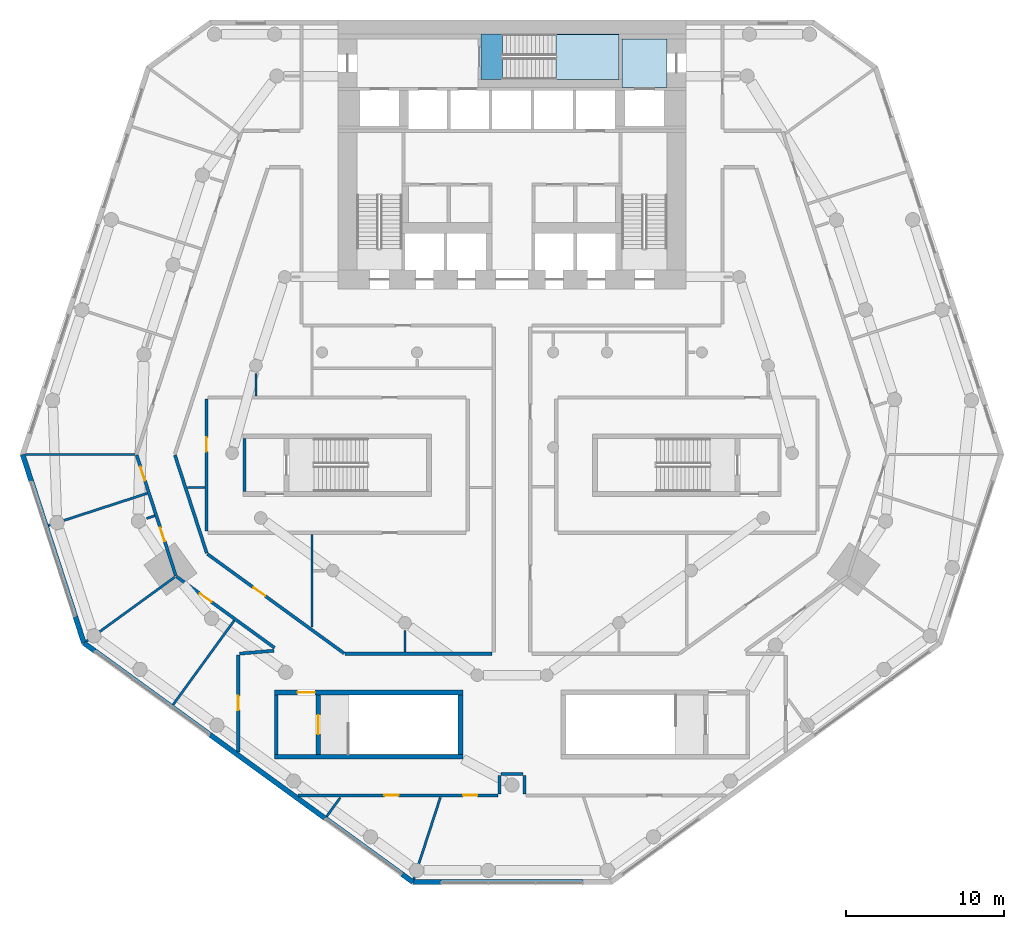
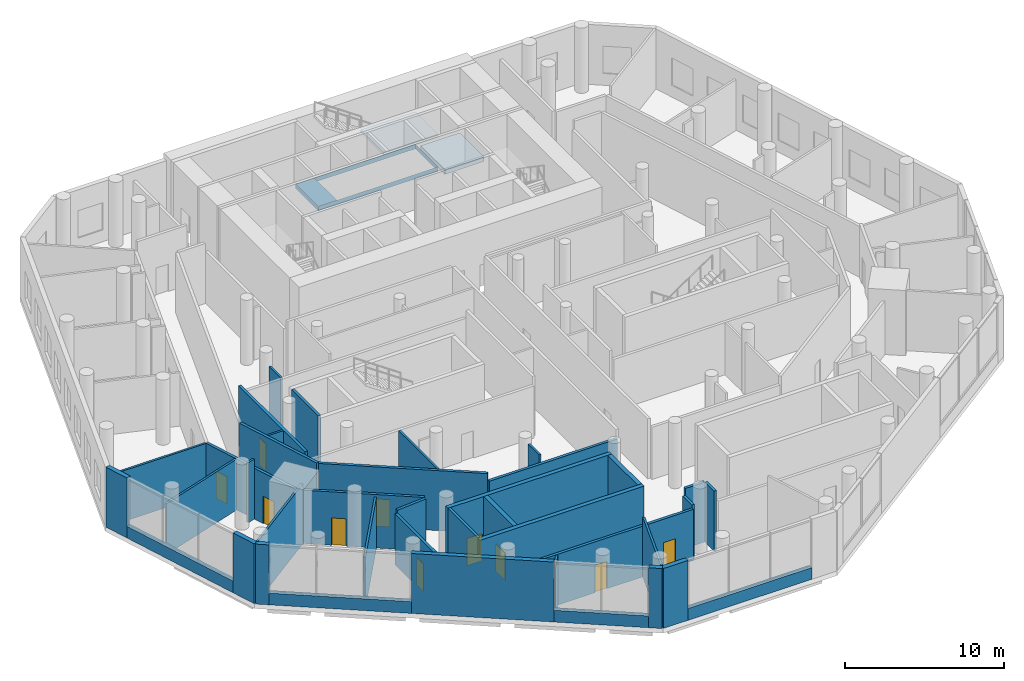
# One storey, part 7 of 15: 39 walls, 10 doors, 3 slabs, 10 openings, 1 element without a shape of its own.
"""IFC4 building model written with IfcOpenShell, lengths in metres."""

from ifc_helpers import new_model, si_unit, direction, frame, frame_2d, origin, place, context, subcontext, project, spatial, polyline, rectangle, outline, extrude, material, layer, layer_set, type_object, element, fill, aggregate, save


model = new_model("IFC4")

# Units and contexts
model_context = context("Model", 3, precision=1e-05, world=origin(), true_north=direction((0.0, 1.0)))
body_context = subcontext(model_context, "Body", "Model", "MODEL_VIEW")
ifc_project = project(units=[si_unit("LENGTHUNIT", "METRE"), si_unit("AREAUNIT", "SQUARE_METRE"), si_unit("VOLUMEUNIT", "CUBIC_METRE"), si_unit("PLANEANGLEUNIT", "RADIAN"), si_unit("MASSUNIT", "GRAM", prefix="KILO")], contexts=[model_context])

# Site, building, storey
site_placement = place(None, origin())
site = spatial("IfcSite", under=ifc_project, at=site_placement, CompositionType="ELEMENT")
building_placement = place(site_placement, origin())
building = spatial("IfcBuilding", under=site, at=building_placement, Name="White Candle Pilgrim Tower", CompositionType="ELEMENT")
storey_placement = place(building_placement, frame((0.0, 0.0, 34.0)))
storey = spatial("IfcBuildingStorey", under=building, at=storey_placement, Name="L05", CompositionType="ELEMENT", Elevation=34.0)

# Slabs
ifc_material_1 = material(Name="Concrete C40/50", Category="concrete")
ifc_layer_1 = layer(ifc_material_1, 0.35009765625)
ifc_layer_set_1 = layer_set([ifc_layer_1], Name="Core floor slab 350 mm Concrete C40/50")
slab_type_1 = type_object("IfcSlabType", Name="Core floor slab 350 mm Concrete C40/50", PredefinedType="FLOOR", material=ifc_layer_set_1)
slab_1_placement = place(storey_placement, frame((0.0, 0.0, -0.35009765625)))
element("IfcSlab", 1, at=slab_1_placement, inside=storey, type_object=slab_type_1, Name="CF-L05-09", PredefinedType="FLOOR", context=body_context, shape_type="SweptSolid", body=[
    extrude(outline(polyline([(76.75, 86.800048828125), (76.75, 84.25), (68.050048828125, 84.25), (68.050048828125, 86.800048828125), (68.050048828125, 87.10009765625), (76.75, 87.10009765625), (76.75, 86.800048828125)]), holes=[polyline([(69.402099609375, 87.097900390625), (69.402099609375, 84.251953125), (76.748046875, 84.251953125), (76.748046875, 87.097900390625), (69.402099609375, 87.097900390625)])]), origin(), (0.0, 0.0, 1.0), 0.35009765625),
])
slab_2_placement = place(storey_placement, frame((0.0, 0.0, -0.35009765625)))
element("IfcSlab", 2, at=slab_2_placement, inside=storey, type_object=slab_type_1, Name="CF-L05-10", PredefinedType="FLOOR", context=body_context, shape_type="SweptSolid", body=[
    extrude(outline(polyline([(79.800048828125, 86.800048828125), (79.800048828125, 83.75), (76.949951171875, 83.75), (76.949951171875, 84.25), (76.949951171875, 86.800048828125), (79.800048828125, 86.800048828125)])), origin(), (0.0, 0.0, 1.0), 0.35009765625),
])

# Stair, slab
stair_type = type_object("IfcStairType", Name="Exit stair 3 flight width 1350 mm", PredefinedType="HALF_TURN_STAIR", material=ifc_material_1)
stair_placement = place(storey_placement, origin())
stair = element("IfcStair", 3, at=stair_placement, inside=storey, type_object=stair_type, Name="L05 stair 3", PredefinedType="NOTDEFINED")
ifc_layer_2 = layer(ifc_material_1, 0.199951171875)
ifc_layer_set_2 = layer_set([ifc_layer_2], Name="Stair landing Concrete C40/50")
slab_type_2 = type_object("IfcSlabType", Name="Stair landing Concrete C40/50", PredefinedType="LANDING", material=ifc_layer_set_2)
slab_3_placement = place(storey_placement, frame((0.0, 0.0, 2.300048828125)))
slab_3 = element("IfcSlab", 4, at=slab_3_placement, type_object=slab_type_2, Name="ST3 landing 1", PredefinedType="LANDING", context=body_context, shape_type="SweptSolid", body=[
    extrude(outline(polyline([(72.778076171875, 84.248046875), (72.778076171875, 87.10205078125), (76.751953125, 87.10205078125), (76.751953125, 84.248046875), (72.778076171875, 84.248046875)])), origin(), (0.0, 0.0, 1.0), 0.199951171875),
])
aggregate(stair, [slab_3])

# Walls
ifc_material_2 = material(Name="Concrete C70/85", Category="concrete")
ifc_layer_3 = layer(ifc_material_2, 0.199951171875)
ifc_layer_set_3 = layer_set([ifc_layer_3], Name="Core wall 200 mm Concrete C70/85")
wall_type_1 = type_object("IfcWallType", Name="Core wall 200 mm Concrete C70/85", PredefinedType="SHEAR", material=ifc_layer_set_3)
wall_1_placement = place(storey_placement, frame((55.10009765625, 41.60009765625, 0.0), z_axis=(0.0, 0.0, 1.0), x_axis=(0.0, 1.0, 0.0)))
element("IfcWall", 5, at=wall_1_placement, inside=storey, type_object=wall_type_1, Name="WL-L05-C03", PredefinedType="SHEAR", context=body_context, shape_type="SweptSolid", body=[
    extrude(rectangle(XDim=3.75, YDim=0.199951171875, at=frame_2d((1.875, 0.0))), origin(), (0.0, 0.0, 1.0), 5.0),
])
wall_2_placement = place(storey_placement, frame((53.10009765625, 58.199951171875, 0.0), z_axis=(0.0, 0.0, 1.0), x_axis=(0.0, 1.0, 0.0)))
element("IfcWall", 6, at=wall_2_placement, inside=storey, type_object=wall_type_1, Name="WL-L05-C13", PredefinedType="SHEAR", context=body_context, shape_type="SweptSolid", body=[
    extrude(rectangle(XDim=3.35009765625, YDim=0.199951171875, at=frame_2d((1.675048828125, 0.0))), origin(), (0.0, 0.0, 1.0), 5.0),
])

# Wall, opening, door
ifc_material_3 = material(Name="Gypsum board on steel studs", Category="steel")
ifc_layer_4 = layer(ifc_material_3, 0.199951171875)
ifc_layer_set_4 = layer_set([ifc_layer_4], Name="Corridor wall 200 mm EI 45")
wall_type_2 = type_object("IfcWallType", Name="Corridor wall 200 mm EI 45", PredefinedType="PARTITIONING", material=ifc_layer_set_4)
wall_3_placement = place(storey_placement, frame((52.699951171875, 41.73681640625, 0.0), z_axis=(0.0, 0.0, 1.0), x_axis=(0.0, 1.0, 0.0)))
wall_3 = element("IfcWall", 7, at=wall_3_placement, inside=storey, type_object=wall_type_2, Name="WL-L05-P001", PredefinedType="PARTITIONING", context=body_context, shape_type="SweptSolid", body=[
    extrude(rectangle(XDim=6.12158203125, YDim=0.199951171875, at=frame_2d((3.060791015625, 0.0))), origin(), (0.0, 0.0, 1.0), 3.89990234375),
])
opening_1_placement = place(wall_3_placement, frame((2.656494140625, 0.0, 0.0)))
opening_1 = element("IfcOpeningElement", 8, at=opening_1_placement, cuts=wall_3, Name="Opening L05-108", PredefinedType="OPENING", context=body_context, shape_type="SweptSolid", body=[
    extrude(rectangle(XDim=0.89990234375, YDim=2.10009765625, at=frame_2d((0.449951171875, 1.050048828125))), frame((0.0, 0.10986328125, 0.0), z_axis=(0.0, -1.0, 0.0), x_axis=(1.0, 0.0, 0.0)), (0.0, 0.0, 1.0), 0.219970703125),
])
ifc_material_4 = material(Name="Steel door leaf", Category="steel")
door_type_1 = type_object("IfcDoorType", Name="Fire door 900 x 2100 EI 30", OperationType="NOTDEFINED", PredefinedType="DOOR", material=ifc_material_4)
door_1_placement = place(opening_1_placement, origin())
door_1 = element("IfcDoor", 9, at=door_1_placement, inside=storey, type_object=door_type_1, Name="Door L05-108", OperationType="SINGLE_SWING_RIGHT", OverallHeight=2.10009765625, OverallWidth=0.89990234375, PredefinedType="DOOR", context=body_context, shape_type="SweptSolid", body=[
    extrude(rectangle(XDim=0.89990234375, YDim=2.10009765625, at=frame_2d((0.449951171875, 1.050048828125))), frame((0.0, 0.02490234375, 0.0), z_axis=(0.0, -1.0, 0.0), x_axis=(1.0, 0.0, 0.0)), (0.0, 0.0, 1.0), 0.050048828125),
])
fill(opening_1, door_1)

# Wall
wall_4_placement = place(storey_placement, frame((52.79150390625, 47.9580078125, 0.0), z_axis=(0.0, 0.0, 1.0), x_axis=(0.996286600035, 0.086098841978, 0.0)))
element("IfcWall", 10, at=wall_4_placement, inside=storey, type_object=wall_type_2, Name="WL-L05-P002", PredefinedType="PARTITIONING", context=body_context, shape_type="SweptSolid", body=[
    extrude(rectangle(XDim=2.16357421875, YDim=0.199951171875, at=frame_2d((1.081787109375, 0.0))), origin(), (0.0, 0.0, 1.0), 4.10009765625),
])

# Wall, opening, door
wall_5_placement = place(storey_placement, frame((54.9970703125, 48.32470703125, 0.0), z_axis=(0.0, 0.0, 1.0), x_axis=(-0.809019601086, 0.587781664446, 0.0)))
wall_5 = element("IfcWall", 11, at=wall_5_placement, inside=storey, type_object=wall_type_2, Name="WL-L05-P003", PredefinedType="PARTITIONING", context=body_context, shape_type="SweptSolid", body=[
    extrude(rectangle(XDim=7.66845703125, YDim=0.199951171875, at=frame_2d((3.834228515625, 0.0))), origin(), (0.0, 0.0, 1.0), 4.10009765625),
])
opening_2_placement = place(wall_5_placement, frame((4.9384765625, 0.0, 0.0)))
opening_2 = element("IfcOpeningElement", 12, at=opening_2_placement, cuts=wall_5, Name="Opening L05-107", PredefinedType="OPENING", context=body_context, shape_type="SweptSolid", body=[
    extrude(rectangle(XDim=0.89990234375, YDim=2.10009765625, at=frame_2d((0.449951171875, 1.050048828125))), frame((0.0, 0.10986328125, 0.0), z_axis=(0.0, -1.0, 0.0), x_axis=(1.0, 0.0, 0.0)), (0.0, 0.0, 1.0), 0.219970703125),
])
door_2_placement = place(opening_2_placement, origin())
door_2 = element("IfcDoor", 13, at=door_2_placement, inside=storey, type_object=door_type_1, Name="Door L05-107", OperationType="SINGLE_SWING_LEFT", OverallHeight=2.10009765625, OverallWidth=0.89990234375, PredefinedType="DOOR", context=body_context, shape_type="SweptSolid", body=[
    extrude(rectangle(XDim=0.89990234375, YDim=2.10009765625, at=frame_2d((0.449951171875, 1.050048828125))), frame((0.0, 0.02490234375, 0.0), z_axis=(0.0, -1.0, 0.0), x_axis=(1.0, 0.0, 0.0)), (0.0, 0.0, 1.0), 0.050048828125),
])
fill(opening_2, door_2)

# Wall, openings, doors
wall_6_placement = place(storey_placement, frame((48.757080078125, 52.882080078125, 0.0), z_axis=(0.0, 0.0, 1.0), x_axis=(-0.309030308026, 0.951052190325, 0.0)))
wall_6 = element("IfcWall", 14, at=wall_6_placement, inside=storey, type_object=wall_type_2, Name="WL-L05-P004", PredefinedType="PARTITIONING", context=body_context, shape_type="SweptSolid", body=[
    extrude(rectangle(XDim=8.018798828125, YDim=0.199951171875, at=frame_2d((4.00927734375, 0.0))), origin(), (0.0, 0.0, 1.0), 3.89990234375),
])
opening_3_placement = place(wall_6_placement, frame((6.330078125, 0.0, 0.0)))
opening_3 = element("IfcOpeningElement", 15, at=opening_3_placement, cuts=wall_6, Name="Opening L05-105", PredefinedType="OPENING", context=body_context, shape_type="SweptSolid", body=[
    extrude(rectangle(XDim=0.89990234375, YDim=2.10009765625, at=frame_2d((0.449951171875, 1.050048828125))), frame((0.0, 0.10986328125, 0.0), z_axis=(0.0, -1.0, 0.0), x_axis=(1.0, 0.0, 0.0)), (0.0, 0.0, 1.0), 0.219970703125),
])
opening_4_placement = place(wall_6_placement, frame((2.288330078125, 0.0, 0.0)))
opening_4 = element("IfcOpeningElement", 16, at=opening_4_placement, cuts=wall_6, Name="Opening L05-106", PredefinedType="OPENING", context=body_context, shape_type="SweptSolid", body=[
    extrude(rectangle(XDim=0.89990234375, YDim=2.10009765625, at=frame_2d((0.449951171875, 1.050048828125))), frame((0.0, 0.10986328125, 0.0), z_axis=(0.0, -1.0, 0.0), x_axis=(1.0, 0.0, 0.0)), (0.0, 0.0, 1.0), 0.219970703125),
])
door_3_placement = place(opening_3_placement, origin())
door_3 = element("IfcDoor", 17, at=door_3_placement, inside=storey, type_object=door_type_1, Name="Door L05-105", OperationType="SINGLE_SWING_LEFT", OverallHeight=2.10009765625, OverallWidth=0.89990234375, PredefinedType="DOOR", context=body_context, shape_type="SweptSolid", body=[
    extrude(rectangle(XDim=0.89990234375, YDim=2.10009765625, at=frame_2d((0.449951171875, 1.050048828125))), frame((0.0, 0.02490234375, 0.0), z_axis=(0.0, -1.0, 0.0), x_axis=(1.0, 0.0, 0.0)), (0.0, 0.0, 1.0), 0.050048828125),
])
fill(opening_3, door_3)
door_4_placement = place(opening_4_placement, origin())
door_4 = element("IfcDoor", 18, at=door_4_placement, inside=storey, type_object=door_type_1, Name="Door L05-106", OperationType="SINGLE_SWING_RIGHT", OverallHeight=2.10009765625, OverallWidth=0.89990234375, PredefinedType="DOOR", context=body_context, shape_type="SweptSolid", body=[
    extrude(rectangle(XDim=0.89990234375, YDim=2.10009765625, at=frame_2d((0.449951171875, 1.050048828125))), frame((0.0, 0.02490234375, 0.0), z_axis=(0.0, -1.0, 0.0), x_axis=(1.0, 0.0, 0.0)), (0.0, 0.0, 1.0), 0.050048828125),
])
fill(opening_4, door_4)

# Walls
wall_7_placement = place(storey_placement, frame((70.800048828125, 39.10009765625, 0.0), z_axis=(0.0, 0.0, 1.0), x_axis=(0.0, 1.0, 0.0)))
element("IfcWall", 19, at=wall_7_placement, inside=storey, type_object=wall_type_2, Name="WL-L05-P016", PredefinedType="PARTITIONING", context=body_context, shape_type="SweptSolid", body=[
    extrude(rectangle(XDim=1.160888671875, YDim=0.199951171875, at=frame_2d((0.58056640625, 0.0))), origin(), (0.0, 0.0, 1.0), 4.60009765625),
])
wall_8_placement = place(storey_placement, frame((70.699951171875, 40.361083984375, 0.0), z_axis=(0.0, 0.0, 1.0), x_axis=(-1.0, 0.0, 0.0)))
element("IfcWall", 20, at=wall_8_placement, inside=storey, type_object=wall_type_2, Name="WL-L05-P017", PredefinedType="PARTITIONING", context=body_context, shape_type="SweptSolid", body=[
    extrude(rectangle(XDim=1.39990234375, YDim=0.199951171875, at=frame_2d((0.699951171875, 0.0))), origin(), (0.0, 0.0, 1.0), 4.60009765625),
])
wall_9_placement = place(storey_placement, frame((69.199951171875, 40.260986328125, 0.0), z_axis=(0.0, 0.0, 1.0), x_axis=(0.0, -1.0, 0.0)))
element("IfcWall", 21, at=wall_9_placement, inside=storey, type_object=wall_type_2, Name="WL-L05-P018", PredefinedType="PARTITIONING", context=body_context, shape_type="SweptSolid", body=[
    extrude(rectangle(XDim=1.160888671875, YDim=0.199951171875, at=frame_2d((0.58056640625, 0.0))), origin(), (0.0, 0.0, 1.0), 4.10009765625),
])

# Wall, openings, doors
wall_10_placement = place(storey_placement, frame((69.10009765625, 39.0, 0.0), z_axis=(0.0, 0.0, 1.0), x_axis=(-1.0, 0.0, 0.0)))
wall_10 = element("IfcWall", 22, at=wall_10_placement, inside=storey, type_object=wall_type_2, Name="WL-L05-P019", PredefinedType="PARTITIONING", context=body_context, shape_type="SweptSolid", body=[
    extrude(rectangle(XDim=12.63330078125, YDim=0.199951171875, at=frame_2d((6.316650390625, 0.0))), origin(), (0.0, 0.0, 1.0), 3.89990234375),
])
opening_5_placement = place(wall_10_placement, frame((6.265625, 0.0, 0.0)))
opening_5 = element("IfcOpeningElement", 23, at=opening_5_placement, cuts=wall_10, Name="Opening L05-109", PredefinedType="OPENING", context=body_context, shape_type="SweptSolid", body=[
    extrude(rectangle(XDim=0.89990234375, YDim=2.10009765625, at=frame_2d((0.449951171875, 1.050048828125))), frame((0.0, 0.10986328125, 0.0), z_axis=(0.0, -1.0, 0.0), x_axis=(1.0, 0.0, 0.0)), (0.0, 0.0, 1.0), 0.219970703125),
])
opening_6_placement = place(wall_10_placement, frame((1.2919921875, 0.0, 0.0)))
opening_6 = element("IfcOpeningElement", 24, at=opening_6_placement, cuts=wall_10, Name="Opening L05-110", PredefinedType="OPENING", context=body_context, shape_type="SweptSolid", body=[
    extrude(rectangle(XDim=0.89990234375, YDim=2.10009765625, at=frame_2d((0.449951171875, 1.050048828125))), frame((0.0, 0.10986328125, 0.0), z_axis=(0.0, -1.0, 0.0), x_axis=(1.0, 0.0, 0.0)), (0.0, 0.0, 1.0), 0.219970703125),
])
door_5_placement = place(opening_5_placement, origin())
door_5 = element("IfcDoor", 25, at=door_5_placement, inside=storey, type_object=door_type_1, Name="Door L05-109", OperationType="SINGLE_SWING_LEFT", OverallHeight=2.10009765625, OverallWidth=0.89990234375, PredefinedType="DOOR", context=body_context, shape_type="SweptSolid", body=[
    extrude(rectangle(XDim=0.89990234375, YDim=2.10009765625, at=frame_2d((0.449951171875, 1.050048828125))), frame((0.0, 0.02490234375, 0.0), z_axis=(0.0, -1.0, 0.0), x_axis=(1.0, 0.0, 0.0)), (0.0, 0.0, 1.0), 0.050048828125),
])
fill(opening_5, door_5)
door_6_placement = place(opening_6_placement, origin())
door_6 = element("IfcDoor", 26, at=door_6_placement, inside=storey, type_object=door_type_1, Name="Door L05-110", OperationType="SINGLE_SWING_RIGHT", OverallHeight=2.10009765625, OverallWidth=0.89990234375, PredefinedType="DOOR", context=body_context, shape_type="SweptSolid", body=[
    extrude(rectangle(XDim=0.89990234375, YDim=2.10009765625, at=frame_2d((0.449951171875, 1.050048828125))), frame((0.0, 0.02490234375, 0.0), z_axis=(0.0, -1.0, 0.0), x_axis=(1.0, 0.0, 0.0)), (0.0, 0.0, 1.0), 0.050048828125),
])
fill(opening_6, door_6)

# Wall
wall_11_placement = place(storey_placement, frame((48.697509765625, 60.50830078125, 0.0), z_axis=(0.0, 0.0, 1.0), x_axis=(0.308999759659, -0.951062116021, 0.0)))
element("IfcWall", 27, at=wall_11_placement, inside=storey, type_object=wall_type_2, Name="WL-L05-P032", PredefinedType="PARTITIONING", context=body_context, shape_type="SweptSolid", body=[
    extrude(rectangle(XDim=6.52392578125, YDim=0.199951171875, at=frame_2d((3.261962890625, 0.0))), origin(), (0.0, 0.0, 1.0), 4.60009765625),
])

# Wall, opening, door
wall_12_placement = place(storey_placement, frame((50.749755859375, 54.253662109375, 0.0), z_axis=(0.0, 0.0, 1.0), x_axis=(0.809010498572, -0.587794192894, 0.0)))
wall_12 = element("IfcWall", 28, at=wall_12_placement, inside=storey, type_object=wall_type_2, Name="WL-L05-P033", PredefinedType="PARTITIONING", context=body_context, shape_type="SweptSolid", body=[
    extrude(rectangle(XDim=10.69189453125, YDim=0.199951171875, at=frame_2d((5.345947265625, 0.0))), origin(), (0.0, 0.0, 1.0), 4.60009765625),
])
opening_7_placement = place(wall_12_placement, frame((3.61962890625, 0.0, 0.0)))
opening_7 = element("IfcOpeningElement", 29, at=opening_7_placement, cuts=wall_12, Name="Opening L05-119", PredefinedType="OPENING", context=body_context, shape_type="SweptSolid", body=[
    extrude(rectangle(XDim=0.89990234375, YDim=2.10009765625, at=frame_2d((0.449951171875, 1.050048828125))), frame((0.0, 0.10986328125, 0.0), z_axis=(0.0, -1.0, 0.0), x_axis=(1.0, 0.0, 0.0)), (0.0, 0.0, 1.0), 0.219970703125),
])
door_7_placement = place(opening_7_placement, origin())
door_7 = element("IfcDoor", 30, at=door_7_placement, inside=storey, type_object=door_type_1, Name="Door L05-119", OperationType="SINGLE_SWING_LEFT", OverallHeight=2.10009765625, OverallWidth=0.89990234375, PredefinedType="DOOR", context=body_context, shape_type="SweptSolid", body=[
    extrude(rectangle(XDim=0.89990234375, YDim=2.10009765625, at=frame_2d((0.449951171875, 1.050048828125))), frame((0.0, 0.02490234375, 0.0), z_axis=(0.0, -1.0, 0.0), x_axis=(1.0, 0.0, 0.0)), (0.0, 0.0, 1.0), 0.050048828125),
])
fill(opening_7, door_7)

# Wall
wall_13_placement = place(storey_placement, frame((59.45849609375, 47.949951171875, 0.0), z_axis=(0.0, 0.0, 1.0), x_axis=(1.0, 0.0, 0.0)))
element("IfcWall", 31, at=wall_13_placement, inside=storey, type_object=wall_type_2, Name="WL-L05-P034", PredefinedType="PARTITIONING", context=body_context, shape_type="SweptSolid", body=[
    extrude(rectangle(XDim=9.29150390625, YDim=0.199951171875, at=frame_2d((4.645751953125, 0.0))), origin(), (0.0, 0.0, 1.0), 4.0),
])

# Wall, opening, door
wall_14_placement = place(storey_placement, frame((50.699951171875, 55.699951171875, 0.0), z_axis=(0.0, 0.0, 1.0), x_axis=(0.0, 1.0, 0.0)))
wall_14 = element("IfcWall", 32, at=wall_14_placement, inside=storey, type_object=wall_type_2, Name="WL-L05-P042", PredefinedType="PARTITIONING", context=body_context, shape_type="SweptSolid", body=[
    extrude(rectangle(XDim=8.35009765625, YDim=0.199951171875, at=frame_2d((4.175048828125, 0.0))), origin(), (0.0, 0.0, 1.0), 4.60009765625),
])
opening_8_placement = place(wall_14_placement, frame((5.02978515625, 0.0, 0.0)))
opening_8 = element("IfcOpeningElement", 33, at=opening_8_placement, cuts=wall_14, Name="Opening L05-120", PredefinedType="OPENING", context=body_context, shape_type="SweptSolid", body=[
    extrude(rectangle(XDim=0.89990234375, YDim=2.10009765625, at=frame_2d((0.449951171875, 1.050048828125))), frame((0.0, 0.10986328125, 0.0), z_axis=(0.0, -1.0, 0.0), x_axis=(1.0, 0.0, 0.0)), (0.0, 0.0, 1.0), 0.219970703125),
])
door_8_placement = place(opening_8_placement, origin())
door_8 = element("IfcDoor", 34, at=door_8_placement, inside=storey, type_object=door_type_1, Name="Door L05-120", OperationType="SINGLE_SWING_RIGHT", OverallHeight=2.10009765625, OverallWidth=0.89990234375, PredefinedType="DOOR", context=body_context, shape_type="SweptSolid", body=[
    extrude(rectangle(XDim=0.89990234375, YDim=2.10009765625, at=frame_2d((0.449951171875, 1.050048828125))), frame((0.0, 0.02490234375, 0.0), z_axis=(0.0, -1.0, 0.0), x_axis=(1.0, 0.0, 0.0)), (0.0, 0.0, 1.0), 0.050048828125),
])
fill(opening_8, door_8)

# Walls
ifc_material_5 = material(Name="Precast concrete C40/50", Category="concrete")
ifc_layer_5 = layer(ifc_material_5, 0.320068359375)
ifc_layer_set_5 = layer_set([ifc_layer_5], Name="Facade wall EW3 precast concrete C40/50 and stone-faced podium wall")
wall_type_3 = type_object("IfcWallType", Name="Facade wall EW3 precast concrete C40/50 and stone-faced podium wall", PredefinedType="SOLIDWALL", material=ifc_layer_set_5)
wall_15_placement = place(storey_placement, frame((39.0771484375, 60.5390625, 0.0), z_axis=(0.0, 0.0, 1.0), x_axis=(0.309036002497, -0.951050339972, 0.0)))
element("IfcWall", 35, at=wall_15_placement, inside=storey, type_object=wall_type_3, Name="Facade wall L05 W chamfer", PredefinedType="SOLIDWALL", context=body_context, shape_type="SweptSolid", body=[
    extrude(rectangle(XDim=1.76416015625, YDim=0.320068359375, at=frame_2d((0.882080078125, 0.0))), origin(), (0.0, 0.0, 1.0), 4.60009765625),
])
wall_16_placement = place(storey_placement, frame((39.622314453125, 58.861328125, 0.0), z_axis=(0.0, 0.0, 1.0), x_axis=(0.309000197986, -0.951061973609, 0.0)))
element("IfcWall", 36, at=wall_16_placement, inside=storey, type_object=wall_type_3, Name="Sill wall L05 W chamfer", PredefinedType="SOLIDWALL", context=body_context, shape_type="SweptSolid", body=[
    extrude(rectangle(XDim=9.0, YDim=0.320068359375, at=frame_2d((4.5, 0.0))), origin(), (0.0, 0.0, 1.0), 0.89990234375),
])
wall_17_placement = place(storey_placement, frame((42.4033203125, 50.3017578125, 0.0), z_axis=(0.0, 0.0, 1.0), x_axis=(0.308995332064, -0.951063554534, 0.0)))
element("IfcWall", 37, at=wall_17_placement, inside=storey, type_object=wall_type_3, Name="Facade wall L05 W chamfer", PredefinedType="SOLIDWALL", context=body_context, shape_type="SweptSolid", body=[
    extrude(rectangle(XDim=1.764404296875, YDim=0.320068359375, at=frame_2d((0.88232421875, 0.0))), origin(), (0.0, 0.0, 1.0), 4.60009765625),
])
wall_18_placement = place(storey_placement, frame((42.948486328125, 48.623779296875, 0.0), z_axis=(0.0, 0.0, 1.0), x_axis=(0.809172006105, -0.587571837766, 0.0)))
element("IfcWall", 38, at=wall_18_placement, inside=storey, type_object=wall_type_3, Name="Facade wall L05 SW", PredefinedType="SOLIDWALL", context=body_context, shape_type="SweptSolid", body=[
    extrude(rectangle(XDim=0.84716796875, YDim=0.320068359375, at=frame_2d((0.423583984375, 0.0))), origin(), (0.0, 0.0, 1.0), 4.60009765625),
])
wall_19_placement = place(storey_placement, frame((43.634033203125, 48.1259765625, 0.0), z_axis=(0.0, 0.0, 1.0), x_axis=(0.808999938455, -0.587808727036, 0.0)))
element("IfcWall", 39, at=wall_19_placement, inside=storey, type_object=wall_type_3, Name="Sill wall L05 SW", PredefinedType="SOLIDWALL", context=body_context, shape_type="SweptSolid", body=[
    extrude(rectangle(XDim=9.0, YDim=0.320068359375, at=frame_2d((4.5, 0.0))), origin(), (0.0, 0.0, 1.0), 0.89990234375),
])
wall_20_placement = place(storey_placement, frame((50.9150390625, 42.835693359375, 0.0), z_axis=(0.0, 0.0, 1.0), x_axis=(0.809022210299, -0.587778073121, 0.0)))
element("IfcWall", 40, at=wall_20_placement, inside=storey, type_object=wall_type_3, Name="Facade wall L05 SW", PredefinedType="SOLIDWALL", context=body_context, shape_type="SweptSolid", body=[
    extrude(rectangle(XDim=9.0, YDim=0.320068359375, at=frame_2d((4.5, 0.0))), origin(), (0.0, 0.0, 1.0), 4.60009765625),
])
wall_21_placement = place(storey_placement, frame((58.1962890625, 37.545654296875, 0.0), z_axis=(0.0, 0.0, 1.0), x_axis=(0.809019288122, -0.587782095208, 0.0)))
element("IfcWall", 41, at=wall_21_placement, inside=storey, type_object=wall_type_3, Name="Sill wall L05 SW", PredefinedType="SOLIDWALL", context=body_context, shape_type="SweptSolid", body=[
    extrude(rectangle(XDim=5.999755859375, YDim=0.320068359375, at=frame_2d((3.0, 0.0))), origin(), (0.0, 0.0, 1.0), 0.89990234375),
])
wall_22_placement = place(storey_placement, frame((63.05029296875, 34.01904296875, 0.0), z_axis=(0.0, 0.0, 1.0), x_axis=(0.809034999426, -0.587760469668, 0.0)))
element("IfcWall", 42, at=wall_22_placement, inside=storey, type_object=wall_type_3, Name="Facade wall L05 SW", PredefinedType="SOLIDWALL", context=body_context, shape_type="SweptSolid", body=[
    extrude(rectangle(XDim=0.847412109375, YDim=0.320068359375, at=frame_2d((0.423828125, 0.0))), origin(), (0.0, 0.0, 1.0), 4.60009765625),
])
wall_23_placement = place(storey_placement, frame((63.73583984375, 33.52099609375, 0.0), z_axis=(0.0, 0.0, 1.0), x_axis=(1.0, 0.0, 0.0)))
element("IfcWall", 43, at=wall_23_placement, inside=storey, type_object=wall_type_3, Name="Facade wall L05 S chamfer", PredefinedType="SOLIDWALL", context=body_context, shape_type="SweptSolid", body=[
    extrude(rectangle(XDim=1.76416015625, YDim=0.320068359375, at=frame_2d((0.882080078125, 0.0))), origin(), (0.0, 0.0, 1.0), 4.60009765625),
])
wall_24_placement = place(storey_placement, frame((65.5, 33.52099609375, 0.0), z_axis=(0.0, 0.0, 1.0), x_axis=(1.0, 0.0, 0.0)))
element("IfcWall", 44, at=wall_24_placement, inside=storey, type_object=wall_type_3, Name="Sill wall L05 S chamfer", PredefinedType="SOLIDWALL", context=body_context, shape_type="SweptSolid", body=[
    extrude(rectangle(XDim=9.0, YDim=0.320068359375, at=frame_2d((4.5, 0.0))), origin(), (0.0, 0.0, 1.0), 0.89990234375),
])
ifc_layer_6 = layer(ifc_material_3, 0.14990234375)
ifc_layer_set_6 = layer_set([ifc_layer_6], Name="Partition 150 mm EI 60")
wall_type_4 = type_object("IfcWallType", Name="Partition 150 mm EI 60", PredefinedType="PARTITIONING", material=ifc_layer_set_6)
wall_25_placement = place(storey_placement, frame((39.245361328125, 60.539306640625, 0.0), z_axis=(0.0, 0.0, 1.0), x_axis=(1.0, 0.0, 0.0)))
element("IfcWall", 45, at=wall_25_placement, inside=storey, type_object=wall_type_4, Name="WL-L05-P045", PredefinedType="PARTITIONING", context=body_context, shape_type="SweptSolid", body=[
    extrude(rectangle(XDim=6.938720703125, YDim=0.14990234375, at=frame_2d((3.46923828125, 0.0))), origin(), (0.0, 0.0, 1.0), 3.89990234375),
])
wall_26_placement = place(storey_placement, frame((43.084716796875, 48.72265625, 0.0), z_axis=(0.0, 0.0, 1.0), x_axis=(0.809006827345, 0.587799245754, 0.0)))
element("IfcWall", 46, at=wall_26_placement, inside=storey, type_object=wall_type_4, Name="WL-L05-P046", PredefinedType="PARTITIONING", context=body_context, shape_type="SweptSolid", body=[
    extrude(rectangle(XDim=6.938720703125, YDim=0.14990234375, at=frame_2d((3.46923828125, 0.0))), origin(), (0.0, 0.0, 1.0), 4.60009765625),
])
wall_27_placement = place(storey_placement, frame((63.78759765625, 33.68115234375, 0.0), z_axis=(0.0, 0.0, 1.0), x_axis=(0.309032514382, 0.951051473399, 0.0)))
element("IfcWall", 47, at=wall_27_placement, inside=storey, type_object=wall_type_4, Name="WL-L05-P047", PredefinedType="PARTITIONING", context=body_context, shape_type="SweptSolid", body=[
    extrude(rectangle(XDim=5.462890625, YDim=0.14990234375, at=frame_2d((2.7314453125, 0.0))), origin(), (0.0, 0.0, 1.0), 4.60009765625),
])
for number, where, z_axis, x_axis, name in (
    (48, (40.701416015625, 56.0576171875, 0.0), (0.0, 0.0, 1.0), (0.951063784568, 0.308994624035, 0.0), "WL-L05-P055"),
    (49, (48.58203125, 44.728515625, 0.0), (0.0, 0.0, 1.0), (0.587778942742, 0.809021578494, 0.0), "WL-L05-P056"),
):
    element("IfcWall", number, at=place(storey_placement, frame(where, z_axis=z_axis, x_axis=x_axis)), inside=storey, type_object=wall_type_4, Name=name, PredefinedType="PARTITIONING", context=body_context, shape_type="SweptSolid", body=[
        extrude(rectangle(XDim=6.580078125, YDim=0.14990234375, at=frame_2d((3.2900390625, 0.0))), origin(), (0.0, 0.0, 1.0), 3.89990234375),
    ])
wall_28_placement = place(storey_placement, frame((58.290283203125, 37.67529296875, 0.0), z_axis=(0.0, 0.0, 1.0), x_axis=(0.587833462746, 0.808981965236, 0.0)))
element("IfcWall", 50, at=wall_28_placement, inside=storey, type_object=wall_type_4, Name="WL-L05-P057", PredefinedType="PARTITIONING", context=body_context, shape_type="SweptSolid", body=[
    extrude(rectangle(XDim=1.45947265625, YDim=0.14990234375, at=frame_2d((0.729736328125, 0.0))), origin(), (0.0, 0.0, 1.0), 3.89990234375),
])
wall_29_placement = place(storey_placement, frame((57.36083984375, 49.62841796875, 0.0), z_axis=(0.0, 0.0, 1.0), x_axis=(0.0, 1.0, 0.0)))
element("IfcWall", 51, at=wall_29_placement, inside=storey, type_object=wall_type_4, Name="WL-L05-P062", PredefinedType="PARTITIONING", context=body_context, shape_type="SweptSolid", body=[
    extrude(rectangle(XDim=5.87158203125, YDim=0.14990234375, at=frame_2d((2.935791015625, 0.0))), origin(), (0.0, 0.0, 1.0), 4.0),
])
wall_30_placement = place(storey_placement, frame((49.492431640625, 58.4599609375, 0.0), z_axis=(0.0, 0.0, 1.0), x_axis=(1.0, 0.0, 0.0)))
element("IfcWall", 52, at=wall_30_placement, inside=storey, type_object=wall_type_4, Name="WL-L05-P064", PredefinedType="PARTITIONING", context=body_context, shape_type="SweptSolid", body=[
    extrude(rectangle(XDim=1.107666015625, YDim=0.14990234375, at=frame_2d((0.5537109375, 0.0))), origin(), (0.0, 0.0, 1.0), 4.60009765625),
])
wall_31_placement = place(storey_placement, frame((46.902099609375, 56.501220703125, 0.0), z_axis=(0.0, 0.0, 1.0), x_axis=(0.951027493825, 0.309106302085, 0.0)))
element("IfcWall", 53, at=wall_31_placement, inside=storey, type_object=wall_type_4, Name="WL-L05-P072", PredefinedType="PARTITIONING", context=body_context, shape_type="SweptSolid", body=[
    extrude(rectangle(XDim=0.545654296875, YDim=0.14990234375, at=frame_2d((0.27294921875, 0.0))), origin(), (0.0, 0.0, 1.0), 4.60009765625),
])
wall_32_placement = place(storey_placement, frame((63.2421875, 49.409912109375, 0.0), z_axis=(0.0, 0.0, 1.0), x_axis=(0.0, -1.0, 0.0)))
element("IfcWall", 54, at=wall_32_placement, inside=storey, type_object=wall_type_4, Name="WL-L05-P083", PredefinedType="PARTITIONING", context=body_context, shape_type="SweptSolid", body=[
    extrude(rectangle(XDim=1.35986328125, YDim=0.14990234375, at=frame_2d((0.679931640625, 0.0))), origin(), (0.0, 0.0, 1.0), 4.60009765625),
])
wall_33_placement = place(storey_placement, frame((53.822265625, 65.669921875, 0.0), z_axis=(0.0, 0.0, 1.0), x_axis=(0.0, -1.0, 0.0)))
element("IfcWall", 55, at=wall_33_placement, inside=storey, type_object=wall_type_4, Name="WL-L05-P088", PredefinedType="PARTITIONING", context=body_context, shape_type="SweptSolid", body=[
    extrude(rectangle(XDim=1.419921875, YDim=0.14990234375, at=frame_2d((0.7099609375, 0.0))), origin(), (0.0, 0.0, 1.0), 4.0),
])
ifc_layer_7 = layer(ifc_material_2, 0.300048828125)
ifc_layer_set_7 = layer_set([ifc_layer_7], Name="Stair shaft wall 300 mm Concrete C70/85")
wall_type_5 = type_object("IfcWallType", Name="Stair shaft wall 300 mm Concrete C70/85", PredefinedType="SHEAR", material=ifc_layer_set_7)
wall_34_placement = place(storey_placement, frame((55.0, 41.449951171875, 0.0), z_axis=(0.0, 0.0, 1.0), x_axis=(1.0, 0.0, 0.0)))
element("IfcWall", 56, at=wall_34_placement, inside=storey, type_object=wall_type_5, Name="WL-L05-C01", PredefinedType="SHEAR", context=body_context, shape_type="SweptSolid", body=[
    extrude(rectangle(XDim=11.89990234375, YDim=0.300048828125, at=frame_2d((5.949951171875, 0.0))), origin(), (0.0, 0.0, 1.0), 5.0),
])

# Wall, opening, door
wall_35_placement = place(storey_placement, frame((57.75, 41.60009765625, 0.0), z_axis=(0.0, 0.0, 1.0), x_axis=(0.0, 1.0, 0.0)))
wall_35 = element("IfcWall", 57, at=wall_35_placement, inside=storey, type_object=wall_type_5, Name="WL-L05-C04", PredefinedType="SHEAR", context=body_context, shape_type="SweptSolid", body=[
    extrude(rectangle(XDim=3.75, YDim=0.300048828125, at=frame_2d((1.875, 0.0))), origin(), (0.0, 0.0, 1.0), 5.0),
])
opening_9_placement = place(wall_35_placement, frame((1.27490234375, 0.0, 0.0)))
opening_9 = element("IfcOpeningElement", 58, at=opening_9_placement, cuts=wall_35, Name="Opening L05-012", PredefinedType="OPENING", context=body_context, shape_type="SweptSolid", body=[
    extrude(rectangle(XDim=1.199951171875, YDim=2.10009765625, at=frame_2d((0.60009765625, 1.050048828125))), frame((0.0, 0.159912109375, 0.0), z_axis=(0.0, -1.0, 0.0), x_axis=(1.0, 0.0, 0.0)), (0.0, 0.0, 1.0), 0.320068359375),
])
door_type_2 = type_object("IfcDoorType", Name="Fire door 1200 x 2100 EI 60", OperationType="NOTDEFINED", PredefinedType="DOOR", material=ifc_material_4)
door_9_placement = place(opening_9_placement, frame((1.199951171875, 0.0, 0.0), z_axis=(0.0, 0.0, 1.0), x_axis=(-1.0, 0.0, 0.0)))
door_9 = element("IfcDoor", 59, at=door_9_placement, inside=storey, type_object=door_type_2, Name="Door L05-012", OperationType="SINGLE_SWING_LEFT", OverallHeight=2.10009765625, OverallWidth=1.199951171875, PredefinedType="DOOR", context=body_context, shape_type="SweptSolid", body=[
    extrude(rectangle(XDim=1.199951171875, YDim=2.10009765625, at=frame_2d((0.60009765625, 1.050048828125))), frame((0.0, 0.02490234375, 0.0), z_axis=(0.0, -1.0, 0.0), x_axis=(1.0, 0.0, 0.0)), (0.0, 0.0, 1.0), 0.050048828125),
])
fill(opening_9, door_9)

# Wall
wall_36_placement = place(storey_placement, frame((66.75, 41.60009765625, 0.0), z_axis=(0.0, 0.0, 1.0), x_axis=(0.0, 1.0, 0.0)))
element("IfcWall", 60, at=wall_36_placement, inside=storey, type_object=wall_type_5, Name="WL-L05-C05", PredefinedType="SHEAR", context=body_context, shape_type="SweptSolid", body=[
    extrude(rectangle(XDim=3.75, YDim=0.300048828125, at=frame_2d((1.875, 0.0))), origin(), (0.0, 0.0, 1.0), 5.0),
])

# Wall, opening, door
wall_37_placement = place(storey_placement, frame((55.0, 45.5, 0.0), z_axis=(0.0, 0.0, 1.0), x_axis=(1.0, 0.0, 0.0)))
wall_37 = element("IfcWall", 61, at=wall_37_placement, inside=storey, type_object=wall_type_5, Name="WL-L05-C09", PredefinedType="SHEAR", context=body_context, shape_type="SweptSolid", body=[
    extrude(rectangle(XDim=11.89990234375, YDim=0.300048828125, at=frame_2d((5.949951171875, 0.0))), origin(), (0.0, 0.0, 1.0), 5.0),
])
opening_10_placement = place(wall_37_placement, frame((1.449951171875, 0.0, 0.0)))
opening_10 = element("IfcOpeningElement", 62, at=opening_10_placement, cuts=wall_37, Name="Opening L05-011", PredefinedType="OPENING", context=body_context, shape_type="SweptSolid", body=[
    extrude(rectangle(XDim=1.10009765625, YDim=2.10009765625, at=frame_2d((0.550048828125, 1.050048828125))), frame((0.0, 0.159912109375, 0.0), z_axis=(0.0, -1.0, 0.0), x_axis=(1.0, 0.0, 0.0)), (0.0, 0.0, 1.0), 0.320068359375),
])
door_type_3 = type_object("IfcDoorType", Name="Fire door 1100 x 2100 EI 60", OperationType="NOTDEFINED", PredefinedType="DOOR", material=ifc_material_4)
door_10_placement = place(opening_10_placement, frame((1.10009765625, 0.0, 0.0), z_axis=(0.0, 0.0, 1.0), x_axis=(-1.0, 0.0, 0.0)))
door_10 = element("IfcDoor", 63, at=door_10_placement, inside=storey, type_object=door_type_3, Name="Door L05-011", OperationType="SINGLE_SWING_RIGHT", OverallHeight=2.10009765625, OverallWidth=1.10009765625, PredefinedType="DOOR", context=body_context, shape_type="SweptSolid", body=[
    extrude(rectangle(XDim=1.10009765625, YDim=2.10009765625, at=frame_2d((0.550048828125, 1.050048828125))), frame((0.0, 0.02490234375, 0.0), z_axis=(0.0, -1.0, 0.0), x_axis=(1.0, 0.0, 0.0)), (0.0, 0.0, 1.0), 0.050048828125),
])
fill(opening_10, door_10)

save(model, "model.ifc")
